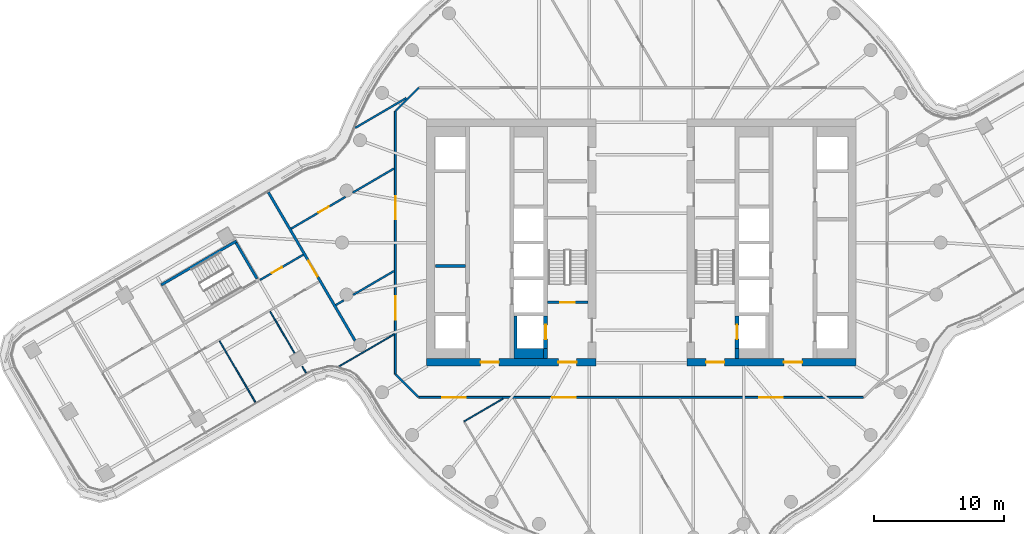
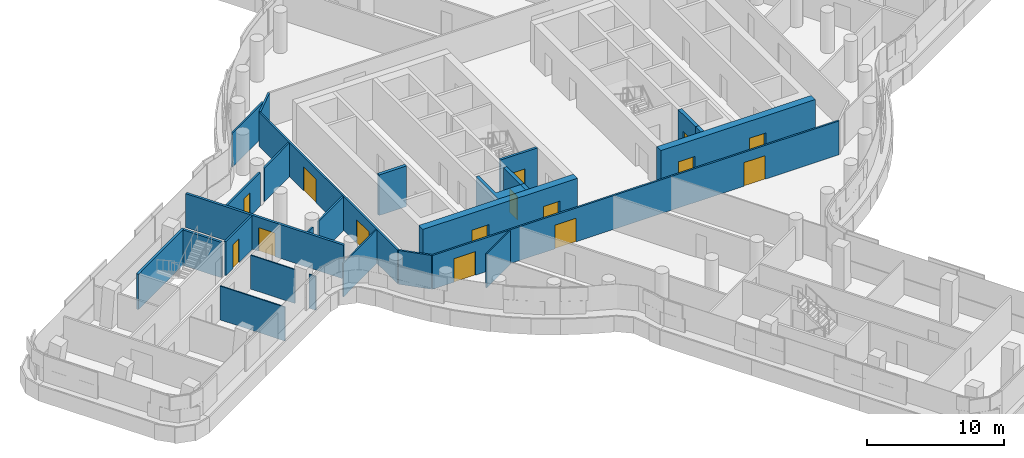
# One storey, part 22 of 35: 27 walls, 15 doors, 15 openings.
"""IFC4 building model written with IfcOpenShell, lengths in metres."""

from ifc_helpers import new_model, si_unit, direction, frame, frame_2d, origin, place, context, subcontext, project, spatial, polyline, rectangle, outline, extrude, material, layer, layer_set, type_object, element, fill, save


model = new_model("IFC4")

# Units and contexts
model_context = context("Model", 3, precision=1e-05, world=origin(), true_north=direction((0.0, 1.0)))
body_context = subcontext(model_context, "Body", "Model", "MODEL_VIEW")
ifc_project = project(units=[si_unit("LENGTHUNIT", "METRE"), si_unit("AREAUNIT", "SQUARE_METRE"), si_unit("VOLUMEUNIT", "CUBIC_METRE"), si_unit("PLANEANGLEUNIT", "RADIAN"), si_unit("MASSUNIT", "GRAM", prefix="KILO")], contexts=[model_context])

# Site, building, storey
site_placement = place(None, origin())
site = spatial("IfcSite", under=ifc_project, at=site_placement, CompositionType="ELEMENT")
building_placement = place(site_placement, origin())
building = spatial("IfcBuilding", under=site, at=building_placement, Name="Tamarind Cross Interchange Tower", CompositionType="ELEMENT")
storey_placement = place(building_placement, frame((0.0, 0.0, 144.25)))
storey = spatial("IfcBuildingStorey", under=building, at=storey_placement, Name="L35", CompositionType="ELEMENT", Elevation=144.25)

# Wall, openings, doors
ifc_material_1 = material(Name="Concrete C60", Category="concrete")
ifc_layer_1 = layer(ifc_material_1, 0.60009765625)
ifc_layer_set_1 = layer_set([ifc_layer_1], Name="Concrete C60")
wall_type_1 = type_object("IfcWallType", Name="Core wall 600 mm Concrete C60", PredefinedType="SHEAR", material=ifc_layer_set_1)
wall_1_placement = place(storey_placement, frame((-16.5, -9.199951171875, 0.0), z_axis=(0.0, 0.0, 1.0), x_axis=(1.0, 0.0, 0.0)))
wall_1 = element("IfcWall", 1, at=wall_1_placement, inside=storey, type_object=wall_type_1, Name="Core wall CWL-L35-W-S", PredefinedType="SHEAR", context=body_context, shape_type="SweptSolid", body=[
    extrude(rectangle(XDim=13.0, YDim=0.60009765625, at=frame_2d((6.5, 0.0))), origin(), (0.0, 0.0, 1.0), 3.610107421875),
])
opening_1_placement = place(wall_1_placement, frame((4.14990234375, 0.0, 0.0)))
opening_1 = element("IfcOpeningElement", 2, at=opening_1_placement, cuts=wall_1, Name="Opening DCW1", PredefinedType="OPENING", context=body_context, shape_type="SweptSolid", body=[
    extrude(rectangle(XDim=1.39990234375, YDim=2.10009765625, at=frame_2d((0.699951171875, 1.050048828125))), frame((0.0, 0.31005859375, 0.0), z_axis=(0.0, -1.0, 0.0), x_axis=(1.0, 0.0, 0.0)), (0.0, 0.0, 1.0), 0.6201171875),
])
opening_2_placement = place(wall_1_placement, frame((10.125, 0.0, 0.0)))
opening_2 = element("IfcOpeningElement", 3, at=opening_2_placement, cuts=wall_1, Name="Opening DCWF", PredefinedType="OPENING", context=body_context, shape_type="SweptSolid", body=[
    extrude(rectangle(XDim=1.39990234375, YDim=2.10009765625, at=frame_2d((0.699951171875, 1.050048828125))), frame((0.0, 0.31005859375, 0.0), z_axis=(0.0, -1.0, 0.0), x_axis=(1.0, 0.0, 0.0)), (0.0, 0.0, 1.0), 0.6201171875),
])
ifc_material_2 = material(Name="Steel, fire-resisting", Category="steel")
door_type_1 = type_object("IfcDoorType", Name="Core fire door 1400 x 2100 FD90", OperationType="SINGLE_SWING_LEFT", PredefinedType="DOOR", material=ifc_material_2)
door_1_placement = place(opening_1_placement, origin())
door_1 = element("IfcDoor", 4, at=door_1_placement, inside=storey, type_object=door_type_1, Name="L35 lift lobby door", OperationType="SINGLE_SWING_LEFT", OverallHeight=2.10009765625, OverallWidth=1.39990234375, PredefinedType="DOOR", context=body_context, shape_type="SweptSolid", body=[
    extrude(rectangle(XDim=1.39990234375, YDim=2.10009765625, at=frame_2d((0.699951171875, 1.050048828125))), frame((0.0, 0.02490234375, 0.0), z_axis=(0.0, -1.0, 0.0), x_axis=(1.0, 0.0, 0.0)), (0.0, 0.0, 1.0), 0.050048828125),
])
fill(opening_1, door_1)
door_2_placement = place(opening_2_placement, origin())
door_2 = element("IfcDoor", 5, at=door_2_placement, inside=storey, type_object=door_type_1, Name="L35 firefighting lobby end door", OperationType="SINGLE_SWING_LEFT", OverallHeight=2.10009765625, OverallWidth=1.39990234375, PredefinedType="DOOR", context=body_context, shape_type="SweptSolid", body=[
    extrude(rectangle(XDim=1.39990234375, YDim=2.10009765625, at=frame_2d((0.699951171875, 1.050048828125))), frame((0.0, 0.02490234375, 0.0), z_axis=(0.0, -1.0, 0.0), x_axis=(1.0, 0.0, 0.0)), (0.0, 0.0, 1.0), 0.050048828125),
])
fill(opening_2, door_2)

wall_2_placement = place(storey_placement, frame((16.5, -9.199951171875, 0.0), z_axis=(0.0, 0.0, 1.0), x_axis=(-1.0, 0.0, 0.0)))
wall_2 = element("IfcWall", 6, at=wall_2_placement, inside=storey, type_object=wall_type_1, Name="Core wall CWL-L35-E-S", PredefinedType="SHEAR", context=body_context, shape_type="SweptSolid", body=[
    extrude(rectangle(XDim=13.0, YDim=0.60009765625, at=frame_2d((6.5, 0.0))), origin(), (0.0, 0.0, 1.0), 3.610107421875),
])
opening_3_placement = place(wall_2_placement, frame((4.14990234375, 0.0, 0.0)))
opening_3 = element("IfcOpeningElement", 7, at=opening_3_placement, cuts=wall_2, Name="Opening DCE1", PredefinedType="OPENING", context=body_context, shape_type="SweptSolid", body=[
    extrude(rectangle(XDim=1.39990234375, YDim=2.10009765625, at=frame_2d((0.699951171875, 1.050048828125))), frame((0.0, 0.31005859375, 0.0), z_axis=(0.0, -1.0, 0.0), x_axis=(1.0, 0.0, 0.0)), (0.0, 0.0, 1.0), 0.6201171875),
])
opening_4_placement = place(wall_2_placement, frame((10.125, 0.0, 0.0)))
opening_4 = element("IfcOpeningElement", 8, at=opening_4_placement, cuts=wall_2, Name="Opening DCEF", PredefinedType="OPENING", context=body_context, shape_type="SweptSolid", body=[
    extrude(rectangle(XDim=1.39990234375, YDim=2.10009765625, at=frame_2d((0.699951171875, 1.050048828125))), frame((0.0, 0.31005859375, 0.0), z_axis=(0.0, -1.0, 0.0), x_axis=(1.0, 0.0, 0.0)), (0.0, 0.0, 1.0), 0.6201171875),
])
door_3_placement = place(opening_3_placement, origin())
door_3 = element("IfcDoor", 9, at=door_3_placement, inside=storey, type_object=door_type_1, Name="L35 lift lobby door", OperationType="SINGLE_SWING_LEFT", OverallHeight=2.10009765625, OverallWidth=1.39990234375, PredefinedType="DOOR", context=body_context, shape_type="SweptSolid", body=[
    extrude(rectangle(XDim=1.39990234375, YDim=2.10009765625, at=frame_2d((0.699951171875, 1.050048828125))), frame((0.0, 0.02490234375, 0.0), z_axis=(0.0, -1.0, 0.0), x_axis=(1.0, 0.0, 0.0)), (0.0, 0.0, 1.0), 0.050048828125),
])
fill(opening_3, door_3)
door_4_placement = place(opening_4_placement, origin())
door_4 = element("IfcDoor", 10, at=door_4_placement, inside=storey, type_object=door_type_1, Name="L35 firefighting lobby end door", OperationType="SINGLE_SWING_LEFT", OverallHeight=2.10009765625, OverallWidth=1.39990234375, PredefinedType="DOOR", context=body_context, shape_type="SweptSolid", body=[
    extrude(rectangle(XDim=1.39990234375, YDim=2.10009765625, at=frame_2d((0.699951171875, 1.050048828125))), frame((0.0, 0.02490234375, 0.0), z_axis=(0.0, -1.0, 0.0), x_axis=(1.0, 0.0, 0.0)), (0.0, 0.0, 1.0), 0.050048828125),
])
fill(opening_4, door_4)

# Walls
ifc_layer_2 = layer(ifc_material_1, 0.300048828125)
ifc_layer_set_2 = layer_set([ifc_layer_2], Name="Concrete C60")
wall_type_2 = type_object("IfcWallType", Name="Core web wall 300 mm Concrete C60", PredefinedType="SHEAR", material=ifc_layer_set_2)
wall_3_placement = place(storey_placement, origin())
element("IfcWall", 11, at=wall_3_placement, inside=storey, type_object=wall_type_2, Name="Core wall CWL-L35-W-BS", PredefinedType="SHEAR", context=body_context, shape_type="SweptSolid", body=[
    extrude(outline(polyline([(-7.5, -8.125), (-9.550048828125, -8.125), (-9.550048828125, -5.625), (-9.800048828125, -5.625), (-9.800048828125, -8.125), (-9.800048828125, -8.89990234375), (-7.5, -8.89990234375), (-7.5, -8.125)])), origin(), (0.0, 0.0, 1.0), 3.610107421875),
])
wall_4_placement = place(storey_placement, frame((-7.35009765625, -8.89990234375, 0.0), z_axis=(0.0, 0.0, 1.0), x_axis=(0.0, 1.0, 0.0)))
element("IfcWall", 12, at=wall_4_placement, inside=storey, type_object=wall_type_2, Name="Core wall CWL-L35-W-BW", PredefinedType="SHEAR", context=body_context, shape_type="SweptSolid", body=[
    extrude(rectangle(XDim=0.77490234375, YDim=0.300048828125, at=frame_2d((0.387451171875, 0.0))), origin(), (0.0, 0.0, 1.0), 3.610107421875),
])

# Wall, opening, door
wall_5_placement = place(storey_placement, frame((-7.35009765625, -8.125, 0.0), z_axis=(0.0, 0.0, 1.0), x_axis=(0.0, 1.0, 0.0)))
wall_5 = element("IfcWall", 13, at=wall_5_placement, inside=storey, type_object=wall_type_2, Name="Core wall CWL-L35-W-FF", PredefinedType="SHEAR", context=body_context, shape_type="SweptSolid", body=[
    extrude(rectangle(XDim=2.5, YDim=0.300048828125, at=frame_2d((1.25, 0.0))), origin(), (0.0, 0.0, 1.0), 3.610107421875),
])
opening_5_placement = place(wall_5_placement, frame((0.699951171875, 0.0, 0.0)))
opening_5 = element("IfcOpeningElement", 14, at=opening_5_placement, cuts=wall_5, Name="Opening LD7L35", PredefinedType="OPENING", context=body_context, shape_type="SweptSolid", body=[
    extrude(rectangle(XDim=1.10009765625, YDim=2.10009765625, at=frame_2d((0.550048828125, 1.050048828125))), frame((0.0, 0.159912109375, 0.0), z_axis=(0.0, -1.0, 0.0), x_axis=(1.0, 0.0, 0.0)), (0.0, 0.0, 1.0), 0.320068359375),
])
ifc_material_3 = material(Name="Stainless steel panel", Category="steel")
door_type_2 = type_object("IfcDoorType", Name="Lift landing door 1100 x 2100 E 120", OperationType="SLIDING_TO_LEFT", PredefinedType="DOOR", material=ifc_material_3)
door_5_placement = place(opening_5_placement, origin())
door_5 = element("IfcDoor", 15, at=door_5_placement, inside=storey, type_object=door_type_2, Name="L35 landing door LF7", OperationType="SLIDING_TO_LEFT", OverallHeight=2.10009765625, OverallWidth=1.10009765625, PredefinedType="DOOR", context=body_context, shape_type="SweptSolid", body=[
    extrude(rectangle(XDim=1.10009765625, YDim=2.10009765625, at=frame_2d((0.550048828125, 1.050048828125))), frame((0.0, 0.02490234375, 0.0), z_axis=(0.0, -1.0, 0.0), x_axis=(1.0, 0.0, 0.0)), (0.0, 0.0, 1.0), 0.050048828125),
])
fill(opening_5, door_5)

# Wall
wall_6_placement = place(storey_placement, frame((7.35009765625, -8.89990234375, 0.0), z_axis=(0.0, 0.0, 1.0), x_axis=(0.0, 1.0, 0.0)))
element("IfcWall", 16, at=wall_6_placement, inside=storey, type_object=wall_type_2, Name="Core wall CWL-L35-E-BW", PredefinedType="SHEAR", context=body_context, shape_type="SweptSolid", body=[
    extrude(rectangle(XDim=0.77490234375, YDim=0.300048828125, at=frame_2d((0.387451171875, 0.0))), origin(), (0.0, 0.0, 1.0), 3.610107421875),
])

# Wall, opening, door
wall_7_placement = place(storey_placement, frame((7.35009765625, -8.125, 0.0), z_axis=(0.0, 0.0, 1.0), x_axis=(0.0, 1.0, 0.0)))
wall_7 = element("IfcWall", 17, at=wall_7_placement, inside=storey, type_object=wall_type_2, Name="Core wall CWL-L35-E-FF", PredefinedType="SHEAR", context=body_context, shape_type="SweptSolid", body=[
    extrude(rectangle(XDim=2.5, YDim=0.300048828125, at=frame_2d((1.25, 0.0))), origin(), (0.0, 0.0, 1.0), 3.610107421875),
])
opening_6_placement = place(wall_7_placement, frame((0.699951171875, 0.0, 0.0)))
opening_6 = element("IfcOpeningElement", 18, at=opening_6_placement, cuts=wall_7, Name="Opening LD19L35", PredefinedType="OPENING", context=body_context, shape_type="SweptSolid", body=[
    extrude(rectangle(XDim=1.10009765625, YDim=2.10009765625, at=frame_2d((0.550048828125, 1.050048828125))), frame((0.0, 0.159912109375, 0.0), z_axis=(0.0, -1.0, 0.0), x_axis=(1.0, 0.0, 0.0)), (0.0, 0.0, 1.0), 0.320068359375),
])
door_6_placement = place(opening_6_placement, origin())
door_6 = element("IfcDoor", 19, at=door_6_placement, inside=storey, type_object=door_type_2, Name="L35 landing door LF19", OperationType="SLIDING_TO_LEFT", OverallHeight=2.10009765625, OverallWidth=1.10009765625, PredefinedType="DOOR", context=body_context, shape_type="SweptSolid", body=[
    extrude(rectangle(XDim=1.10009765625, YDim=2.10009765625, at=frame_2d((0.550048828125, 1.050048828125))), frame((0.0, 0.02490234375, 0.0), z_axis=(0.0, -1.0, 0.0), x_axis=(1.0, 0.0, 0.0)), (0.0, 0.0, 1.0), 0.050048828125),
])
fill(opening_6, door_6)

# Walls
ifc_material_4 = material(Name="Gypsum board partition on steel studs", Category="steel")
ifc_layer_3 = layer(ifc_material_4, 0.10009765625)
ifc_layer_set_3 = layer_set([ifc_layer_3], Name="Gypsum board partition on steel studs")
wall_type_3 = type_object("IfcWallType", Name="Partition 100 mm EI 120", PredefinedType="PARTITIONING", material=ifc_layer_set_3)
wall_8_placement = place(storey_placement, frame((-13.625, -13.7470703125, 0.0), z_axis=(0.0, 0.0, 1.0), x_axis=(0.863323711201, 0.504650542136, 0.0)))
element("IfcWall", 20, at=wall_8_placement, inside=storey, type_object=wall_type_3, Name="Partition L35-052", PredefinedType="PARTITIONING", context=body_context, shape_type="SweptSolid", body=[
    extrude(rectangle(XDim=3.46533203125, YDim=0.10009765625, at=frame_2d((1.732666015625, 0.0))), origin(), (0.0, 0.0, 1.0), 3.010009765625),
])
ifc_layer_4 = layer(ifc_material_4, 0.10009765625)
ifc_layer_set_4 = layer_set([ifc_layer_4], Name="Gypsum board partition on steel studs")
wall_type_4 = type_object("IfcWallType", Name="Partition 100 mm EI 90", PredefinedType="PARTITIONING", material=ifc_layer_set_4)
wall_9_placement = place(storey_placement, frame((-32.408203125, -7.558837890625, 0.0), z_axis=(0.0, 0.0, 1.0), x_axis=(0.504461342909, -0.863434278628, 0.0)))
element("IfcWall", 21, at=wall_9_placement, inside=storey, type_object=wall_type_4, Name="Partition L35-006", PredefinedType="PARTITIONING", context=body_context, shape_type="SweptSolid", body=[
    extrude(rectangle(XDim=5.450439453125, YDim=0.10009765625, at=frame_2d((2.72509765625, 0.0))), origin(), (0.0, 0.0, 1.0), 3.010009765625),
])
wall_10_placement = place(storey_placement, frame((-28.523193359375, -5.288818359375, 0.0), z_axis=(0.0, 0.0, 1.0), x_axis=(0.504526546489, -0.863396180144, 0.0)))
element("IfcWall", 22, at=wall_10_placement, inside=storey, type_object=wall_type_4, Name="Partition L35-008", PredefinedType="PARTITIONING", context=body_context, shape_type="SweptSolid", body=[
    extrude(rectangle(XDim=3.704345703125, YDim=0.10009765625, at=frame_2d((1.85205078125, 0.0))), origin(), (0.0, 0.0, 1.0), 3.010009765625),
])
wall_11_placement = place(storey_placement, frame((-26.052734375, -9.5166015625, 0.0), z_axis=(0.0, 0.0, 1.0), x_axis=(0.504517667242, -0.863401368682, 0.0)))
element("IfcWall", 23, at=wall_11_placement, inside=storey, type_object=wall_type_4, Name="Partition L35-009", PredefinedType="PARTITIONING", context=body_context, shape_type="SweptSolid", body=[
    extrude(rectangle(XDim=0.563232421875, YDim=0.10009765625, at=frame_2d((0.28173828125, 0.0))), origin(), (0.0, 0.0, 1.0), 3.010009765625),
])
wall_12_placement = place(storey_placement, frame((-23.22021484375, -9.515625, 0.0), z_axis=(0.0, 0.0, 1.0), x_axis=(0.863381791964, 0.504551168173, 0.0)))
element("IfcWall", 24, at=wall_12_placement, inside=storey, type_object=wall_type_4, Name="Partition L35-045", PredefinedType="PARTITIONING", context=body_context, shape_type="SweptSolid", body=[
    extrude(rectangle(XDim=4.908935546875, YDim=0.10009765625, at=frame_2d((2.45458984375, 0.0))), origin(), (0.0, 0.0, 1.0), 3.010009765625),
])
ifc_layer_5 = layer(ifc_material_4, 0.14990234375)
ifc_layer_set_5 = layer_set([ifc_layer_5], Name="Gypsum board partition on steel studs")
wall_type_5 = type_object("IfcWallType", Name="Partition 150 mm EI 120", PredefinedType="PARTITIONING", material=ifc_layer_set_5)
wall_13_placement = place(storey_placement, frame((-18.87158203125, -10.12841796875, 0.0), z_axis=(0.0, 0.0, 1.0), x_axis=(0.707106781187, -0.707106781187, 0.0)))
element("IfcWall", 25, at=wall_13_placement, inside=storey, type_object=wall_type_5, Name="Partition L35-034", PredefinedType="PARTITIONING", context=body_context, shape_type="SweptSolid", body=[
    extrude(rectangle(XDim=2.465087890625, YDim=0.14990234375, at=frame_2d((1.232421875, 0.0))), origin(), (0.0, 0.0, 1.0), 3.010009765625),
])

# Wall, openings, doors
wall_14_placement = place(storey_placement, frame((-17.10009765625, -11.89990234375, 0.0), z_axis=(0.0, 0.0, 1.0), x_axis=(1.0, 0.0, 0.0)))
wall_14 = element("IfcWall", 26, at=wall_14_placement, inside=storey, type_object=wall_type_5, Name="Partition L35-036", PredefinedType="PARTITIONING", context=body_context, shape_type="SweptSolid", body=[
    extrude(rectangle(XDim=34.1650390625, YDim=0.14990234375, at=frame_2d((17.08251953125, 0.0))), origin(), (0.0, 0.0, 1.0), 3.010009765625),
])
opening_7_placement = place(wall_14_placement, frame((10.260009765625, 0.0, 0.0)))
opening_7 = element("IfcOpeningElement", 27, at=opening_7_placement, cuts=wall_14, Name="Opening D20", PredefinedType="OPENING", context=body_context, shape_type="SweptSolid", body=[
    extrude(rectangle(XDim=1.800048828125, YDim=2.10009765625, at=frame_2d((0.89990234375, 1.050048828125))), frame((0.0, 0.0849609375, 0.0), z_axis=(0.0, -1.0, 0.0), x_axis=(1.0, 0.0, 0.0)), (0.0, 0.0, 1.0), 0.169921875),
])
opening_8_placement = place(wall_14_placement, frame((1.800048828125, 0.0, 0.0)))
opening_8 = element("IfcOpeningElement", 28, at=opening_8_placement, cuts=wall_14, Name="Opening D21", PredefinedType="OPENING", context=body_context, shape_type="SweptSolid", body=[
    extrude(rectangle(XDim=1.800048828125, YDim=2.10009765625, at=frame_2d((0.89990234375, 1.050048828125))), frame((0.0, 0.0849609375, 0.0), z_axis=(0.0, -1.0, 0.0), x_axis=(1.0, 0.0, 0.0)), (0.0, 0.0, 1.0), 0.169921875),
])
opening_9_placement = place(wall_14_placement, frame((26.15087890625, 0.0, 0.0)))
opening_9 = element("IfcOpeningElement", 29, at=opening_9_placement, cuts=wall_14, Name="Opening D22", PredefinedType="OPENING", context=body_context, shape_type="SweptSolid", body=[
    extrude(rectangle(XDim=1.800048828125, YDim=2.10009765625, at=frame_2d((0.89990234375, 1.050048828125))), frame((0.0, 0.0849609375, 0.0), z_axis=(0.0, -1.0, 0.0), x_axis=(1.0, 0.0, 0.0)), (0.0, 0.0, 1.0), 0.169921875),
])
ifc_material_5 = material(Name="Fire-resisting door set")
door_type_3 = type_object("IfcDoorType", Name="Interior door 1800 x 2100 FD60S", OperationType="DOUBLE_DOOR_SINGLE_SWING", PredefinedType="DOOR", material=ifc_material_5)
door_7_placement = place(opening_7_placement, origin())
door_7 = element("IfcDoor", 30, at=door_7_placement, inside=storey, type_object=door_type_3, Name="Door D20", OperationType="DOUBLE_DOOR_SINGLE_SWING", OverallHeight=2.10009765625, OverallWidth=1.800048828125, PredefinedType="DOOR", context=body_context, shape_type="SweptSolid", body=[
    extrude(rectangle(XDim=1.800048828125, YDim=2.10009765625, at=frame_2d((0.89990234375, 1.050048828125))), frame((0.0, 0.02490234375, 0.0), z_axis=(0.0, -1.0, 0.0), x_axis=(1.0, 0.0, 0.0)), (0.0, 0.0, 1.0), 0.050048828125),
])
fill(opening_7, door_7)
door_8_placement = place(opening_8_placement, frame((1.800048828125, 0.0, 0.0), z_axis=(0.0, 0.0, 1.0), x_axis=(-1.0, 0.0, 0.0)))
door_8 = element("IfcDoor", 31, at=door_8_placement, inside=storey, type_object=door_type_3, Name="Door D21", OperationType="DOUBLE_DOOR_SINGLE_SWING", OverallHeight=2.10009765625, OverallWidth=1.800048828125, PredefinedType="DOOR", context=body_context, shape_type="SweptSolid", body=[
    extrude(rectangle(XDim=1.800048828125, YDim=2.10009765625, at=frame_2d((0.89990234375, 1.050048828125))), frame((0.0, 0.02490234375, 0.0), z_axis=(0.0, -1.0, 0.0), x_axis=(1.0, 0.0, 0.0)), (0.0, 0.0, 1.0), 0.050048828125),
])
fill(opening_8, door_8)
door_9_placement = place(opening_9_placement, frame((1.800048828125, 0.0, 0.0), z_axis=(0.0, 0.0, 1.0), x_axis=(-1.0, 0.0, 0.0)))
door_9 = element("IfcDoor", 32, at=door_9_placement, inside=storey, type_object=door_type_3, Name="Door D22", OperationType="DOUBLE_DOOR_SINGLE_SWING", OverallHeight=2.10009765625, OverallWidth=1.800048828125, PredefinedType="DOOR", context=body_context, shape_type="SweptSolid", body=[
    extrude(rectangle(XDim=1.800048828125, YDim=2.10009765625, at=frame_2d((0.89990234375, 1.050048828125))), frame((0.0, 0.02490234375, 0.0), z_axis=(0.0, -1.0, 0.0), x_axis=(1.0, 0.0, 0.0)), (0.0, 0.0, 1.0), 0.050048828125),
])
fill(opening_9, door_9)

# Wall, opening, door
wall_15_placement = place(storey_placement, frame((-29.3056640625, -2.879150390625, 0.0), z_axis=(0.0, 0.0, 1.0), x_axis=(0.863400207062, 0.504519655163, 0.0)))
wall_15 = element("IfcWall", 33, at=wall_15_placement, inside=storey, type_object=wall_type_5, Name="Partition L35-039", PredefinedType="PARTITIONING", context=body_context, shape_type="SweptSolid", body=[
    extrude(rectangle(XDim=3.860595703125, YDim=0.14990234375, at=frame_2d((1.93017578125, 0.0))), origin(), (0.0, 0.0, 1.0), 3.010009765625),
])
opening_10_placement = place(wall_15_placement, frame((1.050048828125, 0.0, 0.0)))
opening_10 = element("IfcOpeningElement", 34, at=opening_10_placement, cuts=wall_15, Name="Opening D27", PredefinedType="OPENING", context=body_context, shape_type="SweptSolid", body=[
    extrude(rectangle(XDim=0.89990234375, YDim=2.10009765625, at=frame_2d((0.449951171875, 1.050048828125))), frame((0.0, 0.0849609375, 0.0), z_axis=(0.0, -1.0, 0.0), x_axis=(1.0, 0.0, 0.0)), (0.0, 0.0, 1.0), 0.169921875),
])
door_type_4 = type_object("IfcDoorType", Name="Interior door 900 x 2100 FD60S", OperationType="SINGLE_SWING_LEFT", PredefinedType="DOOR", material=ifc_material_5)
door_10_placement = place(opening_10_placement, origin())
door_10 = element("IfcDoor", 35, at=door_10_placement, inside=storey, type_object=door_type_4, Name="Door D27", OperationType="SINGLE_SWING_RIGHT", OverallHeight=2.10009765625, OverallWidth=0.89990234375, PredefinedType="DOOR", context=body_context, shape_type="SweptSolid", body=[
    extrude(rectangle(XDim=0.89990234375, YDim=2.10009765625, at=frame_2d((0.449951171875, 1.050048828125))), frame((0.0, 0.02490234375, 0.0), z_axis=(0.0, -1.0, 0.0), x_axis=(1.0, 0.0, 0.0)), (0.0, 0.0, 1.0), 0.050048828125),
])
fill(opening_10, door_10)

wall_16_placement = place(storey_placement, frame((-26.90966796875, 1.068603515625, 0.0), z_axis=(0.0, 0.0, 1.0), x_axis=(0.863390233873, 0.504536722205, 0.0)))
wall_16 = element("IfcWall", 36, at=wall_16_placement, inside=storey, type_object=wall_type_5, Name="Partition L35-041", PredefinedType="PARTITIONING", context=body_context, shape_type="SweptSolid", body=[
    extrude(rectangle(XDim=4.8330078125, YDim=0.14990234375, at=frame_2d((2.41650390625, 0.0))), origin(), (0.0, 0.0, 1.0), 3.010009765625),
])
opening_11_placement = place(wall_16_placement, frame((2.449951171875, 0.0, 0.0)))
opening_11 = element("IfcOpeningElement", 37, at=opening_11_placement, cuts=wall_16, Name="Opening D32", PredefinedType="OPENING", context=body_context, shape_type="SweptSolid", body=[
    extrude(rectangle(XDim=0.89990234375, YDim=2.10009765625, at=frame_2d((0.449951171875, 1.050048828125))), frame((0.0, 0.0849609375, 0.0), z_axis=(0.0, -1.0, 0.0), x_axis=(1.0, 0.0, 0.0)), (0.0, 0.0, 1.0), 0.169921875),
])
door_11_placement = place(opening_11_placement, origin())
door_11 = element("IfcDoor", 38, at=door_11_placement, inside=storey, type_object=door_type_4, Name="Door D32", OperationType="SINGLE_SWING_LEFT", OverallHeight=2.10009765625, OverallWidth=0.89990234375, PredefinedType="DOOR", context=body_context, shape_type="SweptSolid", body=[
    extrude(rectangle(XDim=0.89990234375, YDim=2.10009765625, at=frame_2d((0.449951171875, 1.050048828125))), frame((0.0, 0.02490234375, 0.0), z_axis=(0.0, -1.0, 0.0), x_axis=(1.0, 0.0, 0.0)), (0.0, 0.0, 1.0), 0.050048828125),
])
fill(opening_11, door_11)

# Walls
wall_17_placement = place(storey_placement, frame((-22.1845703125, 3.82958984375, 0.0), z_axis=(0.0, 0.0, 1.0), x_axis=(0.863366335697, 0.504577615818, 0.0)))
element("IfcWall", 39, at=wall_17_placement, inside=storey, type_object=wall_type_5, Name="Partition L35-042", PredefinedType="PARTITIONING", context=body_context, shape_type="SweptSolid", body=[
    extrude(rectangle(XDim=3.694091796875, YDim=0.14990234375, at=frame_2d((1.84716796875, 0.0))), origin(), (0.0, 0.0, 1.0), 3.010009765625),
])
wall_18_placement = place(storey_placement, frame((-23.475341796875, -4.800048828125, 0.0), z_axis=(0.0, 0.0, 1.0), x_axis=(0.863413221126, 0.504497383129, 0.0)))
element("IfcWall", 40, at=wall_18_placement, inside=storey, type_object=wall_type_5, Name="Partition L35-043", PredefinedType="PARTITIONING", context=body_context, shape_type="SweptSolid", body=[
    extrude(rectangle(XDim=0.70263671875, YDim=0.14990234375, at=frame_2d((0.351318359375, 0.0))), origin(), (0.0, 0.0, 1.0), 3.010009765625),
])
wall_19_placement = place(storey_placement, frame((-22.148681640625, -4.02490234375, 0.0), z_axis=(0.0, 0.0, 1.0), x_axis=(0.863310681939, 0.5046728311, 0.0)))
element("IfcWall", 41, at=wall_19_placement, inside=storey, type_object=wall_type_5, Name="Partition L35-044", PredefinedType="PARTITIONING", context=body_context, shape_type="SweptSolid", body=[
    extrude(rectangle(XDim=3.65283203125, YDim=0.14990234375, at=frame_2d((1.826416015625, 0.0))), origin(), (0.0, 0.0, 1.0), 3.010009765625),
])
wall_20_placement = place(storey_placement, frame((-21.99267578125, 8.806884765625, 0.0), z_axis=(0.0, 0.0, 1.0), x_axis=(0.863415016257, 0.504494310871, 0.0)))
element("IfcWall", 42, at=wall_20_placement, inside=storey, type_object=wall_type_5, Name="Partition L35-046", PredefinedType="PARTITIONING", context=body_context, shape_type="SweptSolid", body=[
    extrude(rectangle(XDim=4.55322265625, YDim=0.14990234375, at=frame_2d((2.276611328125, 0.0))), origin(), (0.0, 0.0, 1.0), 3.010009765625),
])
wall_21_placement = place(storey_placement, frame((-18.87158203125, 10.12841796875, 0.0), z_axis=(0.0, 0.0, 1.0), x_axis=(0.707106781187, 0.707106781187, 0.0)))
element("IfcWall", 43, at=wall_21_placement, inside=storey, type_object=wall_type_5, Name="Partition L35-071", PredefinedType="PARTITIONING", context=body_context, shape_type="SweptSolid", body=[
    extrude(rectangle(XDim=2.50537109375, YDim=0.14990234375, at=frame_2d((1.252685546875, 0.0))), origin(), (0.0, 0.0, 1.0), 3.010009765625),
])

# Wall, openings, doors
wall_22_placement = place(storey_placement, frame((-18.89990234375, -10.10009765625, 0.0), z_axis=(0.0, 0.0, 1.0), x_axis=(0.0, 1.0, 0.0)))
wall_22 = element("IfcWall", 44, at=wall_22_placement, inside=storey, type_object=wall_type_5, Name="Partition L35-073", PredefinedType="PARTITIONING", context=body_context, shape_type="SweptSolid", body=[
    extrude(rectangle(XDim=20.2001953125, YDim=0.14990234375, at=frame_2d((10.10009765625, 0.0))), origin(), (0.0, 0.0, 1.0), 3.010009765625),
])
opening_12_placement = place(wall_22_placement, frame((11.8740234375, 0.0, 0.0)))
opening_12 = element("IfcOpeningElement", 45, at=opening_12_placement, cuts=wall_22, Name="Opening D40", PredefinedType="OPENING", context=body_context, shape_type="SweptSolid", body=[
    extrude(rectangle(XDim=1.800048828125, YDim=2.10009765625, at=frame_2d((0.89990234375, 1.050048828125))), frame((0.0, 0.0849609375, 0.0), z_axis=(0.0, -1.0, 0.0), x_axis=(1.0, 0.0, 0.0)), (0.0, 0.0, 1.0), 0.169921875),
])
opening_13_placement = place(wall_22_placement, frame((4.158935546875, 0.0, 0.0)))
opening_13 = element("IfcOpeningElement", 46, at=opening_13_placement, cuts=wall_22, Name="Opening D41", PredefinedType="OPENING", context=body_context, shape_type="SweptSolid", body=[
    extrude(rectangle(XDim=1.800048828125, YDim=2.10009765625, at=frame_2d((0.89990234375, 1.050048828125))), frame((0.0, 0.0849609375, 0.0), z_axis=(0.0, -1.0, 0.0), x_axis=(1.0, 0.0, 0.0)), (0.0, 0.0, 1.0), 0.169921875),
])
door_12_placement = place(opening_12_placement, frame((1.800048828125, 0.0, 0.0), z_axis=(0.0, 0.0, 1.0), x_axis=(-1.0, 0.0, 0.0)))
door_12 = element("IfcDoor", 47, at=door_12_placement, inside=storey, type_object=door_type_3, Name="Door D40", OperationType="DOUBLE_DOOR_SINGLE_SWING", OverallHeight=2.10009765625, OverallWidth=1.800048828125, PredefinedType="DOOR", context=body_context, shape_type="SweptSolid", body=[
    extrude(rectangle(XDim=1.800048828125, YDim=2.10009765625, at=frame_2d((0.89990234375, 1.050048828125))), frame((0.0, 0.02490234375, 0.0), z_axis=(0.0, -1.0, 0.0), x_axis=(1.0, 0.0, 0.0)), (0.0, 0.0, 1.0), 0.050048828125),
])
fill(opening_12, door_12)
door_13_placement = place(opening_13_placement, origin())
door_13 = element("IfcDoor", 48, at=door_13_placement, inside=storey, type_object=door_type_3, Name="Door D41", OperationType="DOUBLE_DOOR_SINGLE_SWING", OverallHeight=2.10009765625, OverallWidth=1.800048828125, PredefinedType="DOOR", context=body_context, shape_type="SweptSolid", body=[
    extrude(rectangle(XDim=1.800048828125, YDim=2.10009765625, at=frame_2d((0.89990234375, 1.050048828125))), frame((0.0, 0.02490234375, 0.0), z_axis=(0.0, -1.0, 0.0), x_axis=(1.0, 0.0, 0.0)), (0.0, 0.0, 1.0), 0.050048828125),
])
fill(opening_13, door_13)

# Wall, opening, door
ifc_layer_6 = layer(ifc_material_4, 0.199951171875)
ifc_layer_set_6 = layer_set([ifc_layer_6], Name="Gypsum board partition on steel studs")
wall_type_6 = type_object("IfcWallType", Name="Partition 200 mm EI 180", PredefinedType="PARTITIONING", material=ifc_layer_set_6)
wall_23_placement = place(storey_placement, frame((-28.660400390625, 3.866943359375, 0.0), z_axis=(0.0, 0.0, 1.0), x_axis=(0.504524218803, -0.863397540326, 0.0)))
wall_23 = element("IfcWall", 49, at=wall_23_placement, inside=storey, type_object=wall_type_6, Name="Partition L35-007", PredefinedType="PARTITIONING", context=body_context, shape_type="SweptSolid", body=[
    extrude(rectangle(XDim=13.22021484375, YDim=0.199951171875, at=frame_2d((6.610107421875, 0.0))), origin(), (0.0, 0.0, 1.0), 3.010009765625),
])
opening_14_placement = place(wall_23_placement, frame((6.09912109375, 0.0, 0.0)))
opening_14 = element("IfcOpeningElement", 50, at=opening_14_placement, cuts=wall_23, Name="Opening D02", PredefinedType="OPENING", context=body_context, shape_type="SweptSolid", body=[
    extrude(rectangle(XDim=1.39990234375, YDim=2.10009765625, at=frame_2d((0.699951171875, 1.050048828125))), frame((0.0, 0.10986328125, 0.0), z_axis=(0.0, -1.0, 0.0), x_axis=(1.0, 0.0, 0.0)), (0.0, 0.0, 1.0), 0.219970703125),
])
door_type_5 = type_object("IfcDoorType", Name="Interior door 1400 x 2100 FD120S", OperationType="DOUBLE_DOOR_SINGLE_SWING", PredefinedType="DOOR", material=ifc_material_5)
door_14_placement = place(opening_14_placement, origin())
door_14 = element("IfcDoor", 51, at=door_14_placement, inside=storey, type_object=door_type_5, Name="Door D02", OperationType="DOUBLE_DOOR_SINGLE_SWING", OverallHeight=2.10009765625, OverallWidth=1.39990234375, PredefinedType="DOOR", context=body_context, shape_type="SweptSolid", body=[
    extrude(rectangle(XDim=1.39990234375, YDim=2.10009765625, at=frame_2d((0.699951171875, 1.050048828125))), frame((0.0, 0.02490234375, 0.0), z_axis=(0.0, -1.0, 0.0), x_axis=(1.0, 0.0, 0.0)), (0.0, 0.0, 1.0), 0.050048828125),
])
fill(opening_14, door_14)

# Wall
ifc_material_6 = material(Name="Concrete C40", Category="concrete")
ifc_layer_7 = layer(ifc_material_6, 0.25)
ifc_layer_set_7 = layer_set([ifc_layer_7], Name="Concrete C40")
wall_type_7 = type_object("IfcWallType", Name="Shaft and lobby wall 250 mm Concrete C40", PredefinedType="PARTITIONING", material=ifc_layer_set_7)
wall_24_placement = place(storey_placement, frame((-15.800048828125, -1.7919921875, 0.0), z_axis=(0.0, 0.0, 1.0), x_axis=(1.0, 0.0, 0.0)))
element("IfcWall", 52, at=wall_24_placement, inside=storey, type_object=wall_type_7, Name="Shaft wall CWL-L35-W-FPA1", PredefinedType="PARTITIONING", context=body_context, shape_type="SweptSolid", body=[
    extrude(rectangle(XDim=2.300048828125, YDim=0.25, at=frame_2d((1.14990234375, 0.0))), origin(), (0.0, 0.0, 1.0), 3.610107421875),
])

# Wall, opening, door
ifc_layer_8 = layer(ifc_material_6, 0.199951171875)
ifc_layer_set_8 = layer_set([ifc_layer_8], Name="Concrete C40")
wall_type_8 = type_object("IfcWallType", Name="Stair shaft wall 200 mm Concrete C40", PredefinedType="SHEAR", material=ifc_layer_set_8)
wall_25_placement = place(storey_placement, frame((-7.199951171875, -4.60009765625, 0.0), z_axis=(0.0, 0.0, 1.0), x_axis=(1.0, 0.0, 0.0)))
wall_25 = element("IfcWall", 53, at=wall_25_placement, inside=storey, type_object=wall_type_8, Name="Core wall CWL-L35-W-SD", PredefinedType="SHEAR", context=body_context, shape_type="SweptSolid", body=[
    extrude(rectangle(XDim=3.099853515625, YDim=0.199951171875, at=frame_2d((1.5498046875, 0.0))), origin(), (0.0, 0.0, 1.0), 3.610107421875),
])
opening_15_placement = place(wall_25_placement, frame((0.97509765625, 0.0, 0.0)))
opening_15 = element("IfcOpeningElement", 54, at=opening_15_placement, cuts=wall_25, Name="Opening DCW6", PredefinedType="OPENING", context=body_context, shape_type="SweptSolid", body=[
    extrude(rectangle(XDim=1.10009765625, YDim=2.10009765625, at=frame_2d((0.550048828125, 1.050048828125))), frame((0.0, 0.10986328125, 0.0), z_axis=(0.0, -1.0, 0.0), x_axis=(1.0, 0.0, 0.0)), (0.0, 0.0, 1.0), 0.219970703125),
])
door_type_6 = type_object("IfcDoorType", Name="Core fire door 1100 x 2100 FD90", OperationType="SINGLE_SWING_LEFT", PredefinedType="DOOR", material=ifc_material_2)
door_15_placement = place(opening_15_placement, origin())
door_15 = element("IfcDoor", 55, at=door_15_placement, inside=storey, type_object=door_type_6, Name="L35 stair door", OperationType="SINGLE_SWING_LEFT", OverallHeight=2.10009765625, OverallWidth=1.10009765625, PredefinedType="DOOR", context=body_context, shape_type="SweptSolid", body=[
    extrude(rectangle(XDim=1.10009765625, YDim=2.10009765625, at=frame_2d((0.550048828125, 1.050048828125))), frame((0.0, 0.02490234375, 0.0), z_axis=(0.0, -1.0, 0.0), x_axis=(1.0, 0.0, 0.0)), (0.0, 0.0, 1.0), 0.050048828125),
])
fill(opening_15, door_15)

# Walls
wall_26_placement = place(storey_placement, frame((-31.105712890625, 0.122802734375, -0.139892578125), z_axis=(0.0, 0.0, 1.0), x_axis=(-0.863399360713, -0.504521103542, 0.0)))
element("IfcWall", 56, at=wall_26_placement, inside=storey, type_object=wall_type_8, Name="Core wall CWL-L35-ST5-C", PredefinedType="SHEAR", context=body_context, shape_type="SweptSolid", body=[
    extrude(rectangle(XDim=6.7001953125, YDim=0.199951171875, at=frame_2d((3.35009765625, 0.0))), origin(), (0.0, 0.0, 1.0), 3.14990234375),
])
wall_27_placement = place(storey_placement, frame((-31.1416015625, -0.013916015625, -0.139892578125), z_axis=(0.0, 0.0, 1.0), x_axis=(0.504520750713, -0.863399566887, 0.0)))
element("IfcWall", 57, at=wall_27_placement, inside=storey, type_object=wall_type_8, Name="Core wall CWL-L35-ST5-CE", PredefinedType="SHEAR", context=body_context, shape_type="SweptSolid", body=[
    extrude(rectangle(XDim=3.199951171875, YDim=0.199951171875, at=frame_2d((1.60009765625, 0.0))), origin(), (0.0, 0.0, 1.0), 3.14990234375),
])

save(model, "model.ifc")
